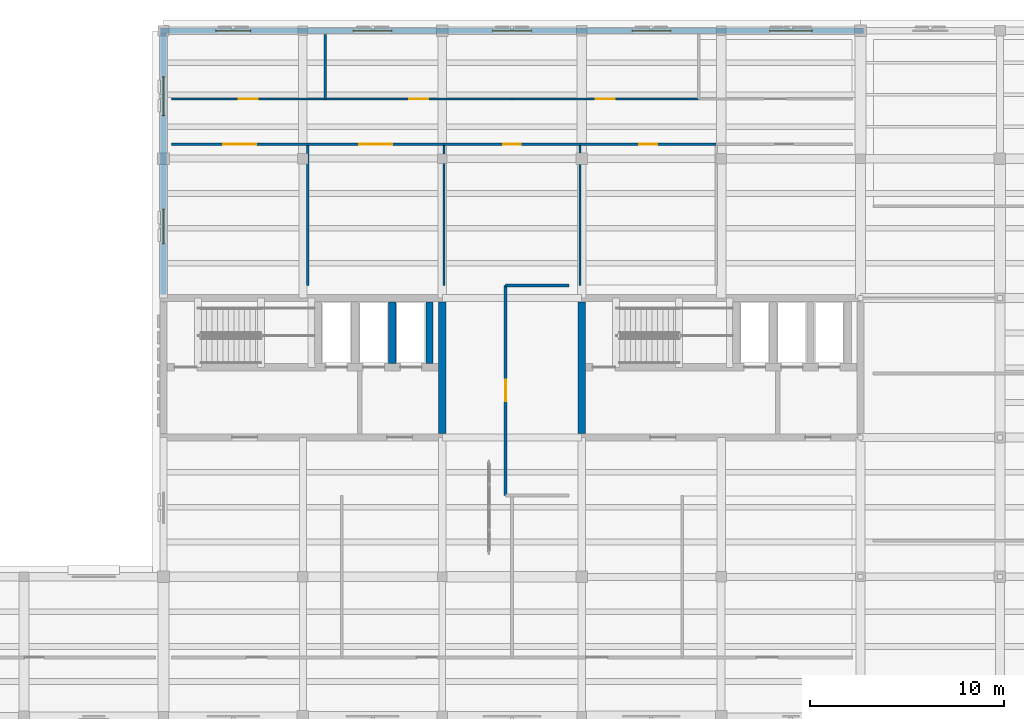
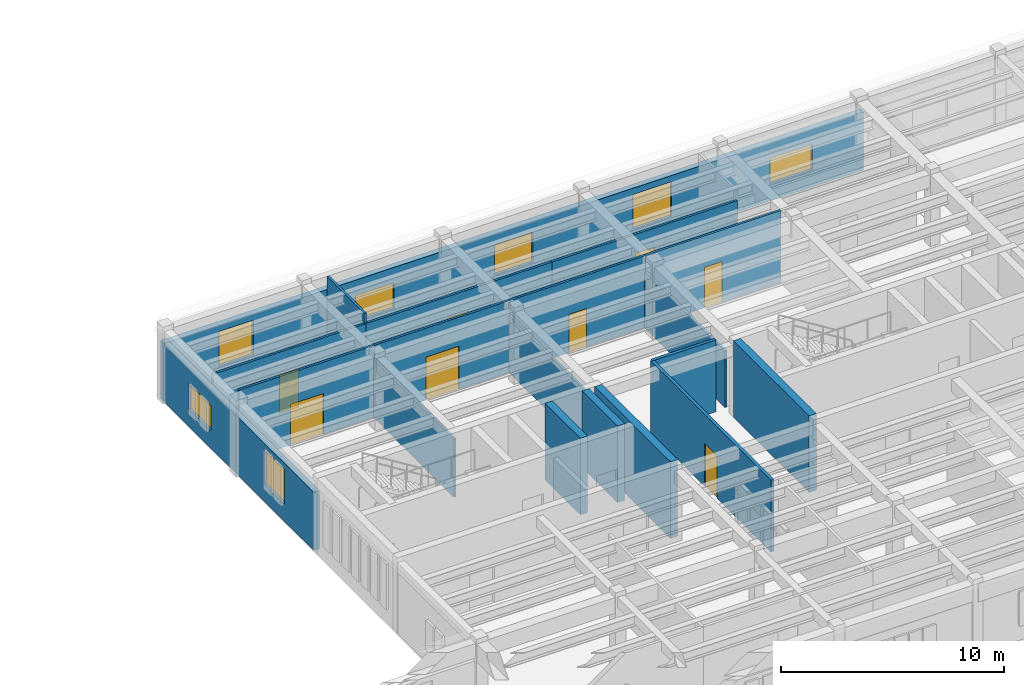
# One storey, part 16 of 27: 19 walls, 8 doors, 7 windows, 15 openings.
"""IFC4 building model written with IfcOpenShell, lengths in metres."""

from ifc_helpers import new_model, si_unit, direction, frame, frame_2d, origin, place, context, subcontext, project, spatial, rectangle, extrude, material, layer, layer_set, type_object, element, fill, save


model = new_model("IFC4")

# Units and contexts
model_context = context("Model", 3, precision=1e-05, world=origin(), true_north=direction((0.0, 1.0)))
body_context = subcontext(model_context, "Body", "Model", "MODEL_VIEW")
ifc_project = project(units=[si_unit("LENGTHUNIT", "METRE"), si_unit("AREAUNIT", "SQUARE_METRE"), si_unit("VOLUMEUNIT", "CUBIC_METRE"), si_unit("PLANEANGLEUNIT", "RADIAN"), si_unit("MASSUNIT", "GRAM", prefix="KILO")], contexts=[model_context])

# Site, building, storey
site_placement = place(None, origin())
site = spatial("IfcSite", under=ifc_project, at=site_placement, CompositionType="ELEMENT")
building_placement = place(site_placement, origin())
building = spatial("IfcBuilding", under=site, at=building_placement, Name="Mithqara Police Headquarters", CompositionType="ELEMENT")
storey_placement = place(building_placement, frame((0.0, 0.0, 18.0)))
storey = spatial("IfcBuildingStorey", under=building, at=storey_placement, Name="L04", CompositionType="ELEMENT", Elevation=18.0)

# Wall, openings, windows
ifc_material_1 = material(Name="Ochre masonry cavity wall, 35 MPa", Category="masonry")
ifc_layer_1 = layer(ifc_material_1, 0.300048828125, Name="Ochre masonry cavity wall, 35 MPa")
ifc_layer_set_1 = layer_set([ifc_layer_1], Name="Ochre masonry cavity wall, 35 MPa")
wall_type_1 = type_object("IfcWallType", Name="EXT WALL OCHRE BRICK300", PredefinedType="SOLIDWALL", material=ifc_layer_set_1)
wall_1_placement = place(storey_placement, frame((144.75, 114.0, 0.0), z_axis=(0.0, 0.0, 1.0), x_axis=(-1.0, 0.0, 0.0)))
wall_1 = element("IfcWall", 1, at=wall_1_placement, inside=storey, type_object=wall_type_1, Name="L04 Exterior Wall 6.1", PredefinedType="SOLIDWALL", context=body_context, shape_type="SweptSolid", body=[
    extrude(rectangle(XDim=36.300048828125, YDim=0.300048828125, at=frame_2d((18.14990234375, 0.0))), origin(), (0.0, 0.0, 1.0), 3.18994140625),
])
opening_1_placement = place(wall_1_placement, frame((31.64990234375, 0.0, 0.949951171875)))
opening_1 = element("IfcOpeningElement", 2, at=opening_1_placement, cuts=wall_1, Name="Opening W-33", PredefinedType="OPENING", context=body_context, shape_type="SweptSolid", body=[
    extrude(rectangle(XDim=1.800048828125, YDim=1.89990234375, at=frame_2d((0.89990234375, 0.949951171875))), frame((0.0, 0.16015625, 0.0), z_axis=(0.0, -1.0, 0.0), x_axis=(1.0, 0.0, 0.0)), (0.0, 0.0, 1.0), 0.320068359375),
])
opening_2_placement = place(wall_1_placement, frame((24.35009765625, 0.0, 0.949951171875)))
opening_2 = element("IfcOpeningElement", 3, at=opening_2_placement, cuts=wall_1, Name="Opening W-36", PredefinedType="OPENING", context=body_context, shape_type="SweptSolid", body=[
    extrude(rectangle(XDim=2.0, YDim=1.39990234375, at=frame_2d((1.0, 0.699951171875))), frame((0.0, 0.16015625, 0.0), z_axis=(0.0, -1.0, 0.0), x_axis=(1.0, 0.0, 0.0)), (0.0, 0.0, 1.0), 0.320068359375),
])
opening_3_placement = place(wall_1_placement, frame((17.14990234375, 0.0, 0.949951171875)))
opening_3 = element("IfcOpeningElement", 4, at=opening_3_placement, cuts=wall_1, Name="Opening W-37", PredefinedType="OPENING", context=body_context, shape_type="SweptSolid", body=[
    extrude(rectangle(XDim=2.0, YDim=1.64990234375, at=frame_2d((1.0, 0.824951171875))), frame((0.0, 0.16015625, 0.0), z_axis=(0.0, -1.0, 0.0), x_axis=(1.0, 0.0, 0.0)), (0.0, 0.0, 1.0), 0.320068359375),
])
opening_4_placement = place(wall_1_placement, frame((9.949951171875, 0.0, 0.949951171875)))
opening_4 = element("IfcOpeningElement", 5, at=opening_4_placement, cuts=wall_1, Name="Opening W-38", PredefinedType="OPENING", context=body_context, shape_type="SweptSolid", body=[
    extrude(rectangle(XDim=2.0, YDim=1.89990234375, at=frame_2d((1.0, 0.949951171875))), frame((0.0, 0.16015625, 0.0), z_axis=(0.0, -1.0, 0.0), x_axis=(1.0, 0.0, 0.0)), (0.0, 0.0, 1.0), 0.320068359375),
])
opening_5_placement = place(wall_1_placement, frame((2.64990234375, 0.0, 0.949951171875)))
opening_5 = element("IfcOpeningElement", 6, at=opening_5_placement, cuts=wall_1, Name="Opening W-41", PredefinedType="OPENING", context=body_context, shape_type="SweptSolid", body=[
    extrude(rectangle(XDim=2.199951171875, YDim=1.39990234375, at=frame_2d((1.10009765625, 0.699951171875))), frame((0.0, 0.16015625, 0.0), z_axis=(0.0, -1.0, 0.0), x_axis=(1.0, 0.0, 0.0)), (0.0, 0.0, 1.0), 0.320068359375),
])
ifc_material_2 = material(Name="Spectrally selective double low-e glass", Category="glass")
window_type_1 = type_object("IfcWindowType", Name="WINDOW 1800X1900", PartitioningType="DOUBLE_PANEL_VERTICAL", PredefinedType="WINDOW", material=ifc_material_2)
window_1_placement = place(opening_1_placement, origin())
window_1 = element("IfcWindow", 7, at=window_1_placement, inside=storey, type_object=window_type_1, Name="L04 Command Block Screened Window 6.1", OverallHeight=1.89990234375, OverallWidth=1.800048828125, PartitioningType="SINGLE_PANEL", PredefinedType="WINDOW", context=body_context, shape_type="SweptSolid", body=[
    extrude(rectangle(XDim=1.800048828125, YDim=1.89990234375, at=frame_2d((0.89990234375, 0.949951171875))), frame((0.0, 0.030029296875, 0.0), z_axis=(0.0, -1.0, 0.0), x_axis=(1.0, 0.0, 0.0)), (0.0, 0.0, 1.0), 0.06005859375),
])
fill(opening_1, window_1)
window_type_2 = type_object("IfcWindowType", Name="WINDOW 2000X1400", PartitioningType="DOUBLE_PANEL_VERTICAL", PredefinedType="WINDOW", material=ifc_material_2)
window_2_placement = place(opening_2_placement, origin())
window_2 = element("IfcWindow", 8, at=window_2_placement, inside=storey, type_object=window_type_2, Name="L04 Command Block Screened Window 6.2", OverallHeight=1.39990234375, OverallWidth=2.0, PartitioningType="SINGLE_PANEL", PredefinedType="WINDOW", context=body_context, shape_type="SweptSolid", body=[
    extrude(rectangle(XDim=2.0, YDim=1.39990234375, at=frame_2d((1.0, 0.699951171875))), frame((0.0, 0.030029296875, 0.0), z_axis=(0.0, -1.0, 0.0), x_axis=(1.0, 0.0, 0.0)), (0.0, 0.0, 1.0), 0.06005859375),
])
fill(opening_2, window_2)
window_type_3 = type_object("IfcWindowType", Name="WINDOW 2000X1650", PartitioningType="DOUBLE_PANEL_VERTICAL", PredefinedType="WINDOW", material=ifc_material_2)
window_3_placement = place(opening_3_placement, origin())
window_3 = element("IfcWindow", 9, at=window_3_placement, inside=storey, type_object=window_type_3, Name="L04 Command Block Screened Window 6.3", OverallHeight=1.64990234375, OverallWidth=2.0, PartitioningType="SINGLE_PANEL", PredefinedType="WINDOW", context=body_context, shape_type="SweptSolid", body=[
    extrude(rectangle(XDim=2.0, YDim=1.64990234375, at=frame_2d((1.0, 0.824951171875))), frame((0.0, 0.030029296875, 0.0), z_axis=(0.0, -1.0, 0.0), x_axis=(1.0, 0.0, 0.0)), (0.0, 0.0, 1.0), 0.06005859375),
])
fill(opening_3, window_3)
window_type_4 = type_object("IfcWindowType", Name="WINDOW 2000X1900", PartitioningType="DOUBLE_PANEL_VERTICAL", PredefinedType="WINDOW", material=ifc_material_2)
window_4_placement = place(opening_4_placement, origin())
window_4 = element("IfcWindow", 10, at=window_4_placement, inside=storey, type_object=window_type_4, Name="L04 Command Block Screened Window 6.4", OverallHeight=1.89990234375, OverallWidth=2.0, PartitioningType="SINGLE_PANEL", PredefinedType="WINDOW", context=body_context, shape_type="SweptSolid", body=[
    extrude(rectangle(XDim=2.0, YDim=1.89990234375, at=frame_2d((1.0, 0.949951171875))), frame((0.0, 0.030029296875, 0.0), z_axis=(0.0, -1.0, 0.0), x_axis=(1.0, 0.0, 0.0)), (0.0, 0.0, 1.0), 0.06005859375),
])
fill(opening_4, window_4)
window_type_5 = type_object("IfcWindowType", Name="WINDOW 2200X1400", PartitioningType="DOUBLE_PANEL_VERTICAL", PredefinedType="WINDOW", material=ifc_material_2)
window_5_placement = place(opening_5_placement, origin())
window_5 = element("IfcWindow", 11, at=window_5_placement, inside=storey, type_object=window_type_5, Name="L04 Command Block Screened Window 6.5", OverallHeight=1.39990234375, OverallWidth=2.199951171875, PartitioningType="SINGLE_PANEL", PredefinedType="WINDOW", context=body_context, shape_type="SweptSolid", body=[
    extrude(rectangle(XDim=2.199951171875, YDim=1.39990234375, at=frame_2d((1.10009765625, 0.699951171875))), frame((0.0, 0.030029296875, 0.0), z_axis=(0.0, -1.0, 0.0), x_axis=(1.0, 0.0, 0.0)), (0.0, 0.0, 1.0), 0.06005859375),
])
fill(opening_5, window_5)

wall_2_placement = place(storey_placement, frame((108.60009765625, 113.85009765625, 0.0), z_axis=(0.0, 0.0, 1.0), x_axis=(0.0, -1.0, 0.0)))
wall_2 = element("IfcWall", 12, at=wall_2_placement, inside=storey, type_object=wall_type_1, Name="L04 Exterior Wall 7.1", PredefinedType="SOLIDWALL", context=body_context, shape_type="SweptSolid", body=[
    extrude(rectangle(XDim=13.460205078125, YDim=0.300048828125, at=frame_2d((6.72998046875, 0.0))), origin(), (0.0, 0.0, 1.0), 3.18994140625),
])
opening_6_placement = place(wall_2_placement, frame((9.054931640625, 0.0, 0.949951171875)))
opening_6 = element("IfcOpeningElement", 13, at=opening_6_placement, cuts=wall_2, Name="Opening W-33", PredefinedType="OPENING", context=body_context, shape_type="SweptSolid", body=[
    extrude(rectangle(XDim=1.800048828125, YDim=1.89990234375, at=frame_2d((0.89990234375, 0.949951171875))), frame((0.0, 0.16015625, 0.0), z_axis=(0.0, -1.0, 0.0), x_axis=(1.0, 0.0, 0.0)), (0.0, 0.0, 1.0), 0.320068359375),
])
opening_7_placement = place(wall_2_placement, frame((2.22509765625, 0.0, 0.949951171875)))
opening_7 = element("IfcOpeningElement", 14, at=opening_7_placement, cuts=wall_2, Name="Opening W-36", PredefinedType="OPENING", context=body_context, shape_type="SweptSolid", body=[
    extrude(rectangle(XDim=2.0, YDim=1.39990234375, at=frame_2d((1.0, 0.699951171875))), frame((0.0, 0.16015625, 0.0), z_axis=(0.0, -1.0, 0.0), x_axis=(1.0, 0.0, 0.0)), (0.0, 0.0, 1.0), 0.320068359375),
])
window_6_placement = place(opening_6_placement, origin())
window_6 = element("IfcWindow", 15, at=window_6_placement, inside=storey, type_object=window_type_1, Name="L04 Command Block Screened Window 7.1", OverallHeight=1.89990234375, OverallWidth=1.800048828125, PartitioningType="SINGLE_PANEL", PredefinedType="WINDOW", context=body_context, shape_type="SweptSolid", body=[
    extrude(rectangle(XDim=1.800048828125, YDim=1.89990234375, at=frame_2d((0.89990234375, 0.949951171875))), frame((0.0, 0.030029296875, 0.0), z_axis=(0.0, -1.0, 0.0), x_axis=(1.0, 0.0, 0.0)), (0.0, 0.0, 1.0), 0.06005859375),
])
fill(opening_6, window_6)
window_7_placement = place(opening_7_placement, origin())
window_7 = element("IfcWindow", 16, at=window_7_placement, inside=storey, type_object=window_type_2, Name="L04 Command Block Screened Window 7.2", OverallHeight=1.39990234375, OverallWidth=2.0, PartitioningType="SINGLE_PANEL", PredefinedType="WINDOW", context=body_context, shape_type="SweptSolid", body=[
    extrude(rectangle(XDim=2.0, YDim=1.39990234375, at=frame_2d((1.0, 0.699951171875))), frame((0.0, 0.030029296875, 0.0), z_axis=(0.0, -1.0, 0.0), x_axis=(1.0, 0.0, 0.0)), (0.0, 0.0, 1.0), 0.06005859375),
])
fill(opening_7, window_7)

# Wall, opening, door
ifc_material_3 = material(Name="Gypsum acoustic stud partition", Category="gypsum")
ifc_layer_2 = layer(ifc_material_3, 0.1201171875, Name="Gypsum acoustic stud partition")
ifc_layer_set_2 = layer_set([ifc_layer_2], Name="Gypsum acoustic stud partition")
wall_type_2 = type_object("IfcWallType", Name="PART WALL 120", PredefinedType="PARTITIONING", material=ifc_layer_set_2)
wall_3_placement = place(storey_placement, frame((109.02001953125, 108.139892578125, 0.0), z_axis=(0.0, 0.0, 1.0), x_axis=(1.0, 0.0, 0.0)))
wall_3 = element("IfcWall", 17, at=wall_3_placement, inside=storey, type_object=wall_type_2, Name="L04 Corridor Wall Financial Crime Investigation Office", PredefinedType="PARTITIONING", context=body_context, shape_type="SweptSolid", body=[
    extrude(rectangle(XDim=7.031982421875, YDim=0.1201171875, at=frame_2d((3.51611328125, 0.0))), origin(), (0.0, 0.0, 1.0), 3.93994140625),
])
opening_8_placement = place(wall_3_placement, frame((2.656005859375, 0.0, 0.0)))
opening_8 = element("IfcOpeningElement", 18, at=opening_8_placement, cuts=wall_3, Name="Opening D-23", PredefinedType="OPENING", context=body_context, shape_type="SweptSolid", body=[
    extrude(rectangle(XDim=1.719970703125, YDim=2.219970703125, at=frame_2d((0.85986328125, 1.10986328125))), frame((0.0, 0.070068359375, 0.0), z_axis=(0.0, -1.0, 0.0), x_axis=(1.0, 0.0, 0.0)), (0.0, 0.0, 1.0), 0.14013671875),
])
ifc_material_4 = material(Name="Bronze anodised aluminium 6063-T6", Category="aluminium")
door_type_1 = type_object("IfcDoorType", Name="INT DOOR 1720X2220", OperationType="NOTDEFINED", PredefinedType="DOOR", material=ifc_material_4)
door_1_placement = place(opening_8_placement, frame((1.719970703125, 0.0, 0.0), z_axis=(0.0, 0.0, 1.0), x_axis=(-1.0, 0.0, 0.0)))
door_1 = element("IfcDoor", 19, at=door_1_placement, inside=storey, type_object=door_type_1, Name="Financial Crime Investigation Office Entry Door", OperationType="DOUBLE_DOOR_SINGLE_SWING", OverallHeight=2.219970703125, OverallWidth=1.719970703125, PredefinedType="DOOR", context=body_context, shape_type="SweptSolid", body=[
    extrude(rectangle(XDim=1.719970703125, YDim=2.219970703125, at=frame_2d((0.85986328125, 1.10986328125))), frame((0.0, 0.02490234375, 0.0), z_axis=(0.0, -1.0, 0.0), x_axis=(1.0, 0.0, 0.0)), (0.0, 0.0, 1.0), 0.050048828125),
])
fill(opening_8, door_1)

# Wall
wall_4_placement = place(storey_placement, frame((116.052001953125, 100.85009765625, 0.0), z_axis=(0.0, 0.0, 1.0), x_axis=(0.0, 1.0, 0.0)))
element("IfcWall", 20, at=wall_4_placement, inside=storey, type_object=wall_type_2, Name="L04 Room Partition Financial Crime Investigation Office", PredefinedType="PARTITIONING", context=body_context, shape_type="SweptSolid", body=[
    extrude(rectangle(XDim=7.289794921875, YDim=0.1201171875, at=frame_2d((3.64501953125, 0.0))), origin(), (0.0, 0.0, 1.0), 3.18994140625),
])

# Wall, opening, door
wall_5_placement = place(storey_placement, frame((116.052001953125, 108.139892578125, 0.0), z_axis=(0.0, 0.0, 1.0), x_axis=(1.0, 0.0, 0.0)))
wall_5 = element("IfcWall", 21, at=wall_5_placement, inside=storey, type_object=wall_type_2, Name="L04 Corridor Wall Anti-Fraud Taskforce Room", PredefinedType="PARTITIONING", context=body_context, shape_type="SweptSolid", body=[
    extrude(rectangle(XDim=7.031982421875, YDim=0.1201171875, at=frame_2d((3.51611328125, 0.0))), origin(), (0.0, 0.0, 1.0), 3.93994140625),
])
opening_9_placement = place(wall_5_placement, frame((2.656005859375, 0.0, 0.0)))
opening_9 = element("IfcOpeningElement", 22, at=opening_9_placement, cuts=wall_5, Name="Opening D-24", PredefinedType="OPENING", context=body_context, shape_type="SweptSolid", body=[
    extrude(rectangle(XDim=1.719970703125, YDim=2.35009765625, at=frame_2d((0.85986328125, 1.175048828125))), frame((0.0, 0.070068359375, 0.0), z_axis=(0.0, -1.0, 0.0), x_axis=(1.0, 0.0, 0.0)), (0.0, 0.0, 1.0), 0.14013671875),
])
door_type_2 = type_object("IfcDoorType", Name="INT DOOR 1720X2350", OperationType="NOTDEFINED", PredefinedType="DOOR", material=ifc_material_4)
door_2_placement = place(opening_9_placement, frame((1.719970703125, 0.0, 0.0), z_axis=(0.0, 0.0, 1.0), x_axis=(-1.0, 0.0, 0.0)))
door_2 = element("IfcDoor", 23, at=door_2_placement, inside=storey, type_object=door_type_2, Name="Anti-Fraud Taskforce Room Entry Door", OperationType="DOUBLE_DOOR_SINGLE_SWING", OverallHeight=2.35009765625, OverallWidth=1.719970703125, PredefinedType="DOOR", context=body_context, shape_type="SweptSolid", body=[
    extrude(rectangle(XDim=1.719970703125, YDim=2.35009765625, at=frame_2d((0.85986328125, 1.175048828125))), frame((0.0, 0.02490234375, 0.0), z_axis=(0.0, -1.0, 0.0), x_axis=(1.0, 0.0, 0.0)), (0.0, 0.0, 1.0), 0.050048828125),
])
fill(opening_9, door_2)

# Wall
wall_6_placement = place(storey_placement, frame((123.083984375, 100.85009765625, 0.0), z_axis=(0.0, 0.0, 1.0), x_axis=(0.0, 1.0, 0.0)))
element("IfcWall", 24, at=wall_6_placement, inside=storey, type_object=wall_type_2, Name="L04 Room Partition Anti-Fraud Taskforce Room", PredefinedType="PARTITIONING", context=body_context, shape_type="SweptSolid", body=[
    extrude(rectangle(XDim=7.289794921875, YDim=0.1201171875, at=frame_2d((3.64501953125, 0.0))), origin(), (0.0, 0.0, 1.0), 3.139892578125),
])

# Wall, opening, door
wall_7_placement = place(storey_placement, frame((123.083984375, 108.139892578125, 0.0), z_axis=(0.0, 0.0, 1.0), x_axis=(1.0, 0.0, 0.0)))
wall_7 = element("IfcWall", 25, at=wall_7_placement, inside=storey, type_object=wall_type_2, Name="L04 Corridor Wall Case Briefing Room", PredefinedType="PARTITIONING", context=body_context, shape_type="SweptSolid", body=[
    extrude(rectangle(XDim=7.031982421875, YDim=0.1201171875, at=frame_2d((3.51611328125, 0.0))), origin(), (0.0, 0.0, 1.0), 3.93994140625),
])
opening_10_placement = place(wall_7_placement, frame((3.055908203125, 0.0, 0.0)))
opening_10 = element("IfcOpeningElement", 26, at=opening_10_placement, cuts=wall_7, Name="Opening D-01", PredefinedType="OPENING", context=body_context, shape_type="SweptSolid", body=[
    extrude(rectangle(XDim=0.919921875, YDim=2.10009765625, at=frame_2d((0.4599609375, 1.050048828125))), frame((0.0, 0.070068359375, 0.0), z_axis=(0.0, -1.0, 0.0), x_axis=(1.0, 0.0, 0.0)), (0.0, 0.0, 1.0), 0.14013671875),
])
ifc_material_5 = material(Name="Acoustic solid-core timber leaf", Category="wood")
door_type_3 = type_object("IfcDoorType", Name="INT DOOR 920X2100", OperationType="NOTDEFINED", PredefinedType="DOOR", material=ifc_material_5)
door_3_placement = place(opening_10_placement, frame((0.919921875, 0.0, 0.0), z_axis=(0.0, 0.0, 1.0), x_axis=(-1.0, 0.0, 0.0)))
door_3 = element("IfcDoor", 27, at=door_3_placement, inside=storey, type_object=door_type_3, Name="Case Briefing Room Entry Door", OperationType="SINGLE_SWING_RIGHT", OverallHeight=2.10009765625, OverallWidth=0.919921875, PredefinedType="DOOR", context=body_context, shape_type="SweptSolid", body=[
    extrude(rectangle(XDim=0.919921875, YDim=2.10009765625, at=frame_2d((0.4599609375, 1.050048828125))), frame((0.0, 0.02490234375, 0.0), z_axis=(0.0, -1.0, 0.0), x_axis=(1.0, 0.0, 0.0)), (0.0, 0.0, 1.0), 0.050048828125),
])
fill(opening_10, door_3)

# Wall
wall_8_placement = place(storey_placement, frame((130.115966796875, 100.85009765625, 0.0), z_axis=(0.0, 0.0, 1.0), x_axis=(0.0, 1.0, 0.0)))
element("IfcWall", 28, at=wall_8_placement, inside=storey, type_object=wall_type_2, Name="L04 Room Partition Case Briefing Room", PredefinedType="PARTITIONING", context=body_context, shape_type="SweptSolid", body=[
    extrude(rectangle(XDim=7.289794921875, YDim=0.1201171875, at=frame_2d((3.64501953125, 0.0))), origin(), (0.0, 0.0, 1.0), 3.090087890625),
])

# Wall, opening, door
wall_9_placement = place(storey_placement, frame((130.115966796875, 108.139892578125, 0.0), z_axis=(0.0, 0.0, 1.0), x_axis=(1.0, 0.0, 0.0)))
wall_9 = element("IfcWall", 29, at=wall_9_placement, inside=storey, type_object=wall_type_2, Name="L04 Corridor Wall Forensic Accounting Room", PredefinedType="PARTITIONING", context=body_context, shape_type="SweptSolid", body=[
    extrude(rectangle(XDim=7.031982421875, YDim=0.1201171875, at=frame_2d((3.51611328125, 0.0))), origin(), (0.0, 0.0, 1.0), 3.93994140625),
])
opening_11_placement = place(wall_9_placement, frame((3.055908203125, 0.0, 0.0)))
opening_11 = element("IfcOpeningElement", 30, at=opening_11_placement, cuts=wall_9, Name="Opening D-02", PredefinedType="OPENING", context=body_context, shape_type="SweptSolid", body=[
    extrude(rectangle(XDim=0.919921875, YDim=2.219970703125, at=frame_2d((0.4599609375, 1.10986328125))), frame((0.0, 0.070068359375, 0.0), z_axis=(0.0, -1.0, 0.0), x_axis=(1.0, 0.0, 0.0)), (0.0, 0.0, 1.0), 0.14013671875),
])
door_type_4 = type_object("IfcDoorType", Name="INT DOOR 920X2220", OperationType="NOTDEFINED", PredefinedType="DOOR", material=ifc_material_5)
door_4_placement = place(opening_11_placement, frame((0.919921875, 0.0, 0.0), z_axis=(0.0, 0.0, 1.0), x_axis=(-1.0, 0.0, 0.0)))
door_4 = element("IfcDoor", 31, at=door_4_placement, inside=storey, type_object=door_type_4, Name="Forensic Accounting Room Entry Door", OperationType="SINGLE_SWING_LEFT", OverallHeight=2.219970703125, OverallWidth=0.919921875, PredefinedType="DOOR", context=body_context, shape_type="SweptSolid", body=[
    extrude(rectangle(XDim=0.919921875, YDim=2.219970703125, at=frame_2d((0.4599609375, 1.10986328125))), frame((0.0, 0.02490234375, 0.0), z_axis=(0.0, -1.0, 0.0), x_axis=(1.0, 0.0, 0.0)), (0.0, 0.0, 1.0), 0.050048828125),
])
fill(opening_11, door_4)

wall_10_placement = place(storey_placement, frame((109.02001953125, 110.47998046875, 0.0), z_axis=(0.0, 0.0, 1.0), x_axis=(1.0, 0.0, 0.0)))
wall_10 = element("IfcWall", 32, at=wall_10_placement, inside=storey, type_object=wall_type_2, Name="L04 Corridor Wall Anti-Fraud Taskforce Room", PredefinedType="PARTITIONING", context=body_context, shape_type="SweptSolid", body=[
    extrude(rectangle(XDim=7.93994140625, YDim=0.1201171875, at=frame_2d((3.969970703125, 0.0))), origin(), (0.0, 0.0, 1.0), 3.389892578125),
])
opening_12_placement = place(wall_10_placement, frame((3.47998046875, 0.0, 0.0)))
opening_12 = element("IfcOpeningElement", 33, at=opening_12_placement, cuts=wall_10, Name="Opening D-04", PredefinedType="OPENING", context=body_context, shape_type="SweptSolid", body=[
    extrude(rectangle(XDim=0.97998046875, YDim=2.10009765625, at=frame_2d((0.489990234375, 1.050048828125))), frame((0.0, 0.070068359375, 0.0), z_axis=(0.0, -1.0, 0.0), x_axis=(1.0, 0.0, 0.0)), (0.0, 0.0, 1.0), 0.14013671875),
])
door_type_5 = type_object("IfcDoorType", Name="INT DOOR 980X2100", OperationType="NOTDEFINED", PredefinedType="DOOR", material=ifc_material_5)
door_5_placement = place(opening_12_placement, origin())
door_5 = element("IfcDoor", 34, at=door_5_placement, inside=storey, type_object=door_type_5, Name="Anti-Fraud Taskforce Room Entry Door", OperationType="SINGLE_SWING_LEFT", OverallHeight=2.10009765625, OverallWidth=0.97998046875, PredefinedType="DOOR", context=body_context, shape_type="SweptSolid", body=[
    extrude(rectangle(XDim=0.97998046875, YDim=2.10009765625, at=frame_2d((0.489990234375, 1.050048828125))), frame((0.0, 0.02490234375, 0.0), z_axis=(0.0, -1.0, 0.0), x_axis=(1.0, 0.0, 0.0)), (0.0, 0.0, 1.0), 0.050048828125),
])
fill(opening_12, door_5)

# Wall
wall_11_placement = place(storey_placement, frame((116.9599609375, 110.47998046875, 0.0), z_axis=(0.0, 0.0, 1.0), x_axis=(0.0, 1.0, 0.0)))
element("IfcWall", 35, at=wall_11_placement, inside=storey, type_object=wall_type_2, Name="L04 Room Partition Anti-Fraud Taskforce Room", PredefinedType="PARTITIONING", context=body_context, shape_type="SweptSolid", body=[
    extrude(rectangle(XDim=3.340087890625, YDim=0.1201171875, at=frame_2d((1.669921875, 0.0))), origin(), (0.0, 0.0, 1.0), 3.93994140625),
])

# Wall, opening, door
wall_12_placement = place(storey_placement, frame((116.9599609375, 110.47998046875, 0.0), z_axis=(0.0, 0.0, 1.0), x_axis=(1.0, 0.0, 0.0)))
wall_12 = element("IfcWall", 36, at=wall_12_placement, inside=storey, type_object=wall_type_2, Name="L04 Corridor Wall Case Briefing Room", PredefinedType="PARTITIONING", context=body_context, shape_type="SweptSolid", body=[
    extrude(rectangle(XDim=9.64013671875, YDim=0.1201171875, at=frame_2d((4.820068359375, 0.0))), origin(), (0.0, 0.0, 1.0), 3.389892578125),
])
opening_13_placement = place(wall_12_placement, frame((4.330078125, 0.0, 0.0)))
opening_13 = element("IfcOpeningElement", 37, at=opening_13_placement, cuts=wall_12, Name="Opening D-05", PredefinedType="OPENING", context=body_context, shape_type="SweptSolid", body=[
    extrude(rectangle(XDim=0.97998046875, YDim=2.219970703125, at=frame_2d((0.489990234375, 1.10986328125))), frame((0.0, 0.070068359375, 0.0), z_axis=(0.0, -1.0, 0.0), x_axis=(1.0, 0.0, 0.0)), (0.0, 0.0, 1.0), 0.14013671875),
])
door_type_6 = type_object("IfcDoorType", Name="INT DOOR 980X2220", OperationType="NOTDEFINED", PredefinedType="DOOR", material=ifc_material_5)
door_6_placement = place(opening_13_placement, origin())
door_6 = element("IfcDoor", 38, at=door_6_placement, inside=storey, type_object=door_type_6, Name="Case Briefing Room Entry Door", OperationType="SINGLE_SWING_RIGHT", OverallHeight=2.219970703125, OverallWidth=0.97998046875, PredefinedType="DOOR", context=body_context, shape_type="SweptSolid", body=[
    extrude(rectangle(XDim=0.97998046875, YDim=2.219970703125, at=frame_2d((0.489990234375, 1.10986328125))), frame((0.0, 0.02490234375, 0.0), z_axis=(0.0, -1.0, 0.0), x_axis=(1.0, 0.0, 0.0)), (0.0, 0.0, 1.0), 0.050048828125),
])
fill(opening_13, door_6)

wall_13_placement = place(storey_placement, frame((126.60009765625, 110.47998046875, 0.0), z_axis=(0.0, 0.0, 1.0), x_axis=(1.0, 0.0, 0.0)))
wall_13 = element("IfcWall", 39, at=wall_13_placement, inside=storey, type_object=wall_type_2, Name="L04 Corridor Wall Forensic Accounting Room", PredefinedType="PARTITIONING", context=body_context, shape_type="SweptSolid", body=[
    extrude(rectangle(XDim=9.639892578125, YDim=0.1201171875, at=frame_2d((4.81982421875, 0.0))), origin(), (0.0, 0.0, 1.0), 3.389892578125),
])
opening_14_placement = place(wall_13_placement, frame((4.330078125, 0.0, 0.0)))
opening_14 = element("IfcOpeningElement", 40, at=opening_14_placement, cuts=wall_13, Name="Opening D-06", PredefinedType="OPENING", context=body_context, shape_type="SweptSolid", body=[
    extrude(rectangle(XDim=0.97998046875, YDim=2.35009765625, at=frame_2d((0.489990234375, 1.175048828125))), frame((0.0, 0.070068359375, 0.0), z_axis=(0.0, -1.0, 0.0), x_axis=(1.0, 0.0, 0.0)), (0.0, 0.0, 1.0), 0.14013671875),
])
door_type_7 = type_object("IfcDoorType", Name="INT DOOR 980X2350", OperationType="NOTDEFINED", PredefinedType="DOOR", material=ifc_material_5)
door_7_placement = place(opening_14_placement, origin())
door_7 = element("IfcDoor", 41, at=door_7_placement, inside=storey, type_object=door_type_7, Name="Forensic Accounting Room Entry Door", OperationType="SINGLE_SWING_LEFT", OverallHeight=2.35009765625, OverallWidth=0.97998046875, PredefinedType="DOOR", context=body_context, shape_type="SweptSolid", body=[
    extrude(rectangle(XDim=0.97998046875, YDim=2.35009765625, at=frame_2d((0.489990234375, 1.175048828125))), frame((0.0, 0.02490234375, 0.0), z_axis=(0.0, -1.0, 0.0), x_axis=(1.0, 0.0, 0.0)), (0.0, 0.0, 1.0), 0.050048828125),
])
fill(opening_14, door_7)

# Wall
ifc_layer_3 = layer(ifc_material_3, 0.159912109375, Name="Gypsum acoustic stud partition")
ifc_layer_set_3 = layer_set([ifc_layer_3], Name="Gypsum acoustic stud partition")
wall_type_3 = type_object("IfcWallType", Name="PART WALL 160", PredefinedType="PARTITIONING", material=ifc_layer_set_3)
wall_14_placement = place(storey_placement, frame((126.27001953125, 100.85009765625, 0.0), z_axis=(0.0, 0.0, 1.0), x_axis=(1.0, 0.0, 0.0)))
element("IfcWall", 42, at=wall_14_placement, inside=storey, type_object=wall_type_3, Name="L04 Partition End Closure E1", PredefinedType="PARTITIONING", context=body_context, shape_type="SweptSolid", body=[
    extrude(rectangle(XDim=3.280029296875, YDim=0.159912109375, at=frame_2d((1.64013671875, 0.0))), origin(), (0.0, 0.0, 1.0), 3.93994140625),
])

# Wall, opening, door
wall_15_placement = place(storey_placement, frame((126.27001953125, 90.0, 0.0), z_axis=(0.0, 0.0, 1.0), x_axis=(0.0, 1.0, 0.0)))
wall_15 = element("IfcWall", 43, at=wall_15_placement, inside=storey, type_object=wall_type_3, Name="L04 Corridor Wall Financial Crime Investigation Office", PredefinedType="PARTITIONING", context=body_context, shape_type="SweptSolid", body=[
    extrude(rectangle(XDim=10.85009765625, YDim=0.159912109375, at=frame_2d((5.425048828125, 0.0))), origin(), (0.0, 0.0, 1.0), 3.93994140625),
])
opening_15_placement = place(wall_15_placement, frame((4.875, 0.0, 0.0)))
opening_15 = element("IfcOpeningElement", 44, at=opening_15_placement, cuts=wall_15, Name="Opening D-12", PredefinedType="OPENING", context=body_context, shape_type="SweptSolid", body=[
    extrude(rectangle(XDim=1.10009765625, YDim=2.35009765625, at=frame_2d((0.550048828125, 1.175048828125))), frame((0.0, 0.08984375, 0.0), z_axis=(0.0, -1.0, 0.0), x_axis=(1.0, 0.0, 0.0)), (0.0, 0.0, 1.0), 0.179931640625),
])
door_type_8 = type_object("IfcDoorType", Name="INT DOOR 1100X2350", OperationType="NOTDEFINED", PredefinedType="DOOR", material=ifc_material_5)
door_8_placement = place(opening_15_placement, origin())
door_8 = element("IfcDoor", 45, at=door_8_placement, inside=storey, type_object=door_type_8, Name="Financial Crime Investigation Office Entry Door", OperationType="SINGLE_SWING_LEFT", OverallHeight=2.35009765625, OverallWidth=1.10009765625, PredefinedType="DOOR", context=body_context, shape_type="SweptSolid", body=[
    extrude(rectangle(XDim=1.10009765625, YDim=2.35009765625, at=frame_2d((0.550048828125, 1.175048828125))), frame((0.0, 0.02490234375, 0.0), z_axis=(0.0, -1.0, 0.0), x_axis=(1.0, 0.0, 0.0)), (0.0, 0.0, 1.0), 0.050048828125),
])
fill(opening_15, door_8)

# Walls
ifc_material_6 = material(Name="Concrete C50/60", Category="concrete")
ifc_layer_4 = layer(ifc_material_6, 0.3798828125, Name="Concrete C50/60")
ifc_layer_set_4 = layer_set([ifc_layer_4], Name="Concrete C50/60")
wall_type_4 = type_object("IfcWallType", Name="SHEAR WALL 380", PredefinedType="SHEAR", material=ifc_layer_set_4)
wall_16_placement = place(storey_placement, frame((123.0, 93.199951171875, 0.0), z_axis=(0.0, 0.0, 1.0), x_axis=(0.0, 1.0, 0.0)))
element("IfcWall", 46, at=wall_16_placement, inside=storey, type_object=wall_type_4, Name="Core C1 Command West Shear Wall E", PredefinedType="SHEAR", context=body_context, shape_type="SweptSolid", body=[
    extrude(rectangle(XDim=6.800048828125, YDim=0.3798828125, at=frame_2d((3.39990234375, 0.0))), origin(), (0.0, 0.0, 1.0), 4.199951171875),
])
for number, where, z_axis, x_axis, name in (
    (47, (120.419921875, 96.820068359375, 0.0), (0.0, 0.0, 1.0), (0.0, 1.0, 0.0), "Core C1 Command West Shear Wall L2"),
    (48, (122.340087890625, 96.820068359375, 0.0), (0.0, 0.0, 1.0), (0.0, 1.0, 0.0), "Core C1 Command West Shear Wall L3"),
):
    element("IfcWall", number, at=place(storey_placement, frame(where, z_axis=z_axis, x_axis=x_axis)), inside=storey, type_object=wall_type_4, Name=name, PredefinedType="SHEAR", context=body_context, shape_type="SweptSolid", body=[
        extrude(rectangle(XDim=3.179931640625, YDim=0.3798828125, at=frame_2d((1.58984375, 0.0))), origin(), (0.0, 0.0, 1.0), 4.199951171875),
    ])
wall_17_placement = place(storey_placement, frame((130.199951171875, 93.199951171875, 0.0), z_axis=(0.0, 0.0, 1.0), x_axis=(0.0, 1.0, 0.0)))
element("IfcWall", 49, at=wall_17_placement, inside=storey, type_object=wall_type_4, Name="Core C2 Command East Shear Wall W", PredefinedType="SHEAR", context=body_context, shape_type="SweptSolid", body=[
    extrude(rectangle(XDim=6.800048828125, YDim=0.3798828125, at=frame_2d((3.39990234375, 0.0))), origin(), (0.0, 0.0, 1.0), 4.199951171875),
])

save(model, "model.ifc")
